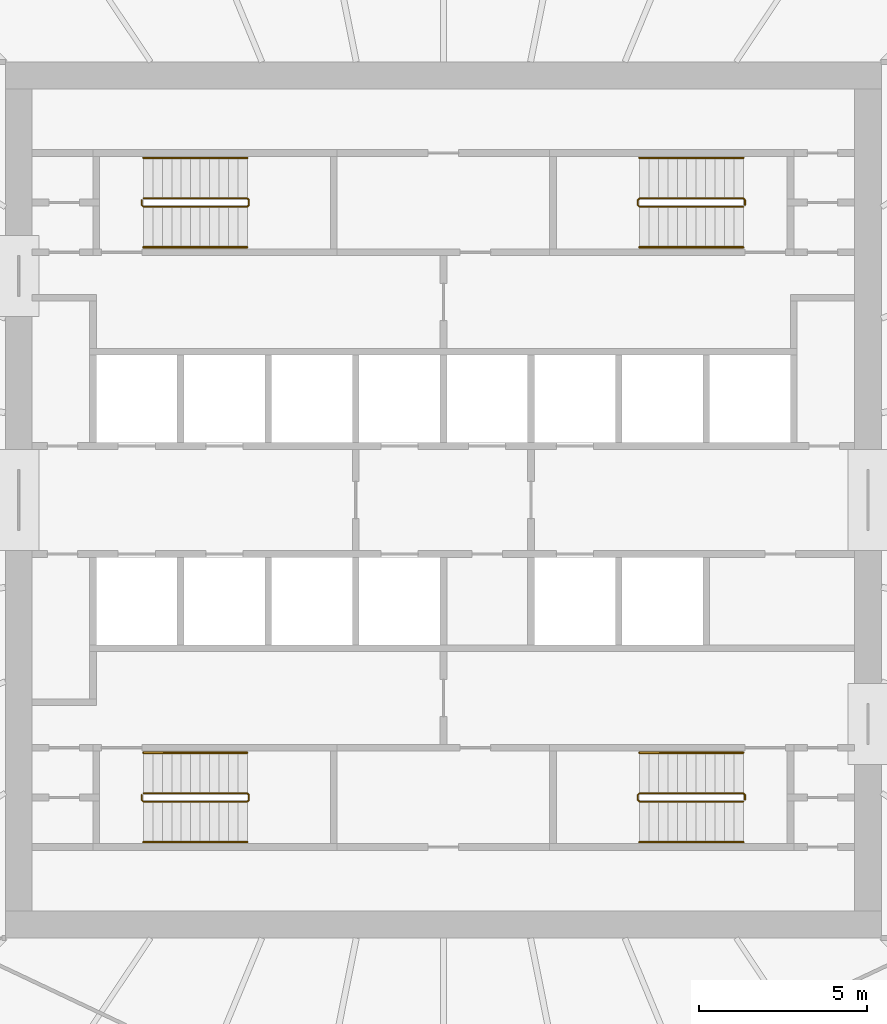
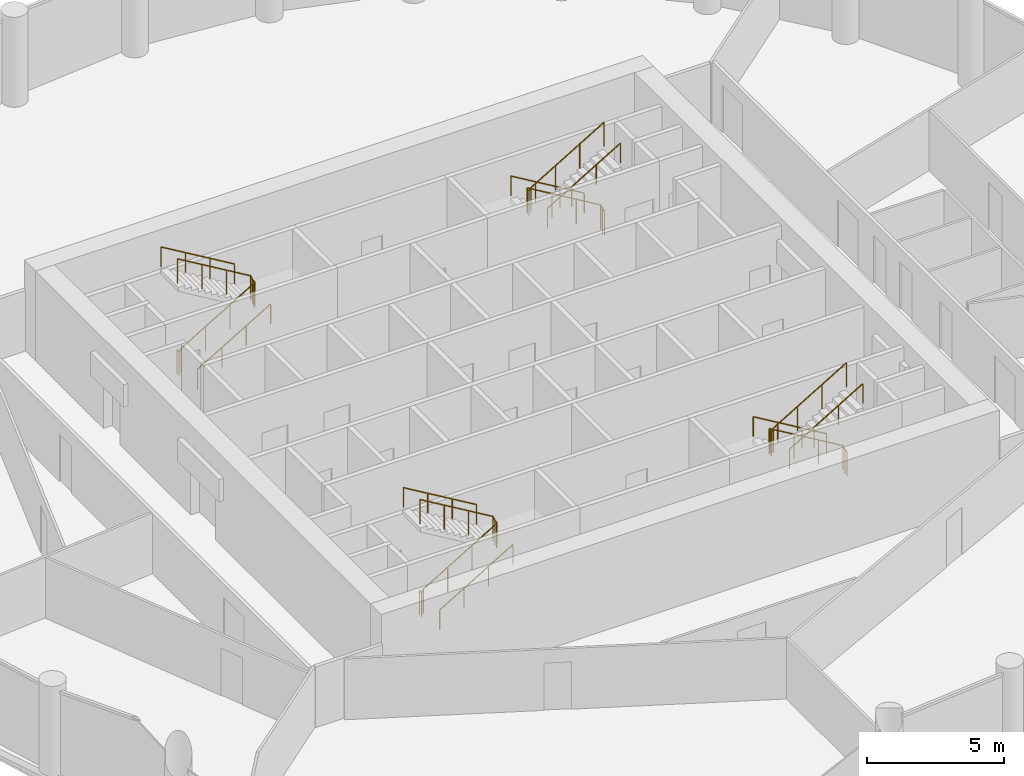
# One storey, part 8 of 8: 12 railings.
"""IFC4 building model written with IfcOpenShell, lengths in metres."""

from ifc_helpers import new_model, si_unit, direction, frame, origin, origin_2d, place, context, subcontext, project, spatial, circle, extrude, material, type_object, element, save


model = new_model("IFC4")

# Units and contexts
model_context = context("Model", 3, precision=1e-05, world=origin(), true_north=direction((0.0, 1.0)))
body_context = subcontext(model_context, "Body", "Model", "MODEL_VIEW")
ifc_project = project(units=[si_unit("LENGTHUNIT", "METRE"), si_unit("AREAUNIT", "SQUARE_METRE"), si_unit("VOLUMEUNIT", "CUBIC_METRE"), si_unit("PLANEANGLEUNIT", "RADIAN"), si_unit("MASSUNIT", "GRAM", prefix="KILO")], contexts=[model_context])

# Site, building, storey
site_placement = place(None, origin())
site = spatial("IfcSite", under=ifc_project, at=site_placement, CompositionType="ELEMENT")
building_placement = place(site_placement, origin())
building = spatial("IfcBuilding", under=site, at=building_placement, Name="Corvane Civic Tower", CompositionType="ELEMENT")
storey_placement = place(building_placement, frame((0.0, 0.0, 245.5)))
storey = spatial("IfcBuildingStorey", under=building, at=storey_placement, Name="L58", CompositionType="ELEMENT", Elevation=245.5)

# Railings
ifc_material_1 = material(Name="Steel ASTM A572 Gr 50", Category="steel")
railing_type_1 = type_object("IfcRailingType", Name="ST-GUARD-1100", PredefinedType="GUARDRAIL", material=ifc_material_1)
railing_1_placement = place(storey_placement, frame((8.949951171875, 8.75, 0.0)))
element("IfcRailing", 1, at=railing_1_placement, inside=storey, type_object=railing_type_1, Name="L58 ST1 stair guard 1", PredefinedType="GUARDRAIL", context=body_context, shape_type="SweptSolid", body=[
    extrude(circle(Radius=0.02392578125, at=origin_2d()), frame((0.0, 0.0, 1.076171875), z_axis=(0.0, 1.0, 0.0), x_axis=(-1.0, 0.0, 0.0)), (0.0, 0.0, 1.0), 0.14990234375),
    extrude(circle(Radius=0.02392578125, at=origin_2d()), frame((0.0, 0.14990234375, 1.076171875), z_axis=(-0.27628659633, 0.27628659633, 0.920506074601), x_axis=(-0.707106781187, -0.707106781187, 0.0)), (0.0, 0.0, 1.0), 0.18115234375),
    extrude(circle(Radius=0.02392578125, at=origin_2d()), frame((-0.050048828125, 0.199951171875, 1.24267578125), z_axis=(-0.859290745958, 0.0, 0.51148745235), x_axis=(0.0, -1.0, 0.0)), (0.0, 0.0, 1.0), 3.584228515625),
    extrude(circle(Radius=0.02392578125, at=origin_2d()), frame((-3.1298828125, 0.199951171875, 3.076171875), z_axis=(-0.707106781187, -0.707106781187, 0.0), x_axis=(0.707106781187, -0.707106781187, 0.0)), (0.0, 0.0, 1.0), 0.07080078125),
    extrude(circle(Radius=0.02392578125, at=origin_2d()), frame((-3.179931640625, 0.14990234375, 3.076171875), z_axis=(0.0, -1.0, 0.0), x_axis=(1.0, 0.0, 0.0)), (0.0, 0.0, 1.0), 0.14990234375),
    extrude(circle(Radius=0.02392578125, at=origin_2d()), frame((-3.179931640625, 0.0, 3.076171875), z_axis=(0.27628659633, -0.27628659633, 0.920506074601), x_axis=(0.707106781187, 0.707106781187, 0.0)), (0.0, 0.0, 1.0), 0.18115234375),
    extrude(circle(Radius=0.02392578125, at=origin_2d()), frame((-3.1298828125, -0.050048828125, 3.24267578125), z_axis=(0.859290745958, 0.0, 0.51148745235), x_axis=(0.0, 1.0, 0.0)), (0.0, 0.0, 1.0), 3.584228515625),
    extrude(circle(Radius=0.02099609375, at=origin_2d()), origin(), (0.0, 0.0, 1.0), 1.052001953125),
    extrude(circle(Radius=0.02099609375, at=origin_2d()), frame((0.0, 0.14990234375, 0.0)), (0.0, 0.0, 1.0), 1.052001953125),
    extrude(circle(Radius=0.02099609375, at=origin_2d()), frame((-0.050048828125, 0.199951171875, 0.166748046875)), (0.0, 0.0, 1.0), 1.052001953125),
    extrude(circle(Radius=0.02099609375, at=origin_2d()), frame((-1.07666015625, 0.199951171875, 0.77783203125)), (0.0, 0.0, 1.0), 1.052001953125),
    extrude(circle(Radius=0.02099609375, at=origin_2d()), frame((-2.103271484375, 0.199951171875, 1.388916015625)), (0.0, 0.0, 1.0), 1.052001953125),
    extrude(circle(Radius=0.02099609375, at=origin_2d()), frame((-3.1298828125, 0.199951171875, 2.0)), (0.0, 0.0, 1.0), 1.052001953125),
    extrude(circle(Radius=0.02099609375, at=origin_2d()), frame((-3.179931640625, 0.14990234375, 2.0)), (0.0, 0.0, 1.0), 1.052001953125),
    extrude(circle(Radius=0.02099609375, at=origin_2d()), frame((-3.179931640625, 0.0, 2.0)), (0.0, 0.0, 1.0), 1.052001953125),
    extrude(circle(Radius=0.02099609375, at=origin_2d()), frame((-3.1298828125, -0.050048828125, 2.166748046875)), (0.0, 0.0, 1.0), 1.052001953125),
    extrude(circle(Radius=0.02099609375, at=origin_2d()), frame((-2.103271484375, -0.050048828125, 2.77783203125)), (0.0, 0.0, 1.0), 1.052001953125),
    extrude(circle(Radius=0.02099609375, at=origin_2d()), frame((-1.07666015625, -0.050048828125, 3.388916015625)), (0.0, 0.0, 1.0), 1.052001953125),
    extrude(circle(Radius=0.02099609375, at=origin_2d()), frame((-0.050048828125, -0.050048828125, 4.0)), (0.0, 0.0, 1.0), 1.052001953125),
])
railing_2_placement = place(storey_placement, frame((8.949951171875, -8.89990234375, 0.0)))
element("IfcRailing", 2, at=railing_2_placement, inside=storey, type_object=railing_type_1, Name="L58 ST2 stair guard 1", PredefinedType="GUARDRAIL", context=body_context, shape_type="SweptSolid", body=[
    extrude(circle(Radius=0.02392578125, at=origin_2d()), frame((0.0, 0.0, 1.076171875), z_axis=(0.0, 1.0, 0.0), x_axis=(-1.0, 0.0, 0.0)), (0.0, 0.0, 1.0), 0.14990234375),
    extrude(circle(Radius=0.02392578125, at=origin_2d()), frame((0.0, 0.14990234375, 1.076171875), z_axis=(-0.27628659633, 0.27628659633, 0.920506074601), x_axis=(-0.707106781187, -0.707106781187, 0.0)), (0.0, 0.0, 1.0), 0.18115234375),
    extrude(circle(Radius=0.02392578125, at=origin_2d()), frame((-0.050048828125, 0.199951171875, 1.24267578125), z_axis=(-0.859290745958, 0.0, 0.51148745235), x_axis=(0.0, -1.0, 0.0)), (0.0, 0.0, 1.0), 3.584228515625),
    extrude(circle(Radius=0.02392578125, at=origin_2d()), frame((-3.1298828125, 0.199951171875, 3.076171875), z_axis=(-0.707106781187, -0.707106781187, 0.0), x_axis=(0.707106781187, -0.707106781187, 0.0)), (0.0, 0.0, 1.0), 0.07080078125),
    extrude(circle(Radius=0.02392578125, at=origin_2d()), frame((-3.179931640625, 0.14990234375, 3.076171875), z_axis=(0.0, -1.0, 0.0), x_axis=(1.0, 0.0, 0.0)), (0.0, 0.0, 1.0), 0.14990234375),
    extrude(circle(Radius=0.02392578125, at=origin_2d()), frame((-3.179931640625, 0.0, 3.076171875), z_axis=(0.27628659633, -0.27628659633, 0.920506074601), x_axis=(0.707106781187, 0.707106781187, 0.0)), (0.0, 0.0, 1.0), 0.18115234375),
    extrude(circle(Radius=0.02392578125, at=origin_2d()), frame((-3.1298828125, -0.050048828125, 3.24267578125), z_axis=(0.859290745958, 0.0, 0.51148745235), x_axis=(0.0, 1.0, 0.0)), (0.0, 0.0, 1.0), 3.584228515625),
    extrude(circle(Radius=0.02099609375, at=origin_2d()), origin(), (0.0, 0.0, 1.0), 1.052001953125),
    extrude(circle(Radius=0.02099609375, at=origin_2d()), frame((0.0, 0.14990234375, 0.0)), (0.0, 0.0, 1.0), 1.052001953125),
    extrude(circle(Radius=0.02099609375, at=origin_2d()), frame((-0.050048828125, 0.199951171875, 0.166748046875)), (0.0, 0.0, 1.0), 1.052001953125),
    extrude(circle(Radius=0.02099609375, at=origin_2d()), frame((-1.07666015625, 0.199951171875, 0.77783203125)), (0.0, 0.0, 1.0), 1.052001953125),
    extrude(circle(Radius=0.02099609375, at=origin_2d()), frame((-2.103271484375, 0.199951171875, 1.388916015625)), (0.0, 0.0, 1.0), 1.052001953125),
    extrude(circle(Radius=0.02099609375, at=origin_2d()), frame((-3.1298828125, 0.199951171875, 2.0)), (0.0, 0.0, 1.0), 1.052001953125),
    extrude(circle(Radius=0.02099609375, at=origin_2d()), frame((-3.179931640625, 0.14990234375, 2.0)), (0.0, 0.0, 1.0), 1.052001953125),
    extrude(circle(Radius=0.02099609375, at=origin_2d()), frame((-3.179931640625, 0.0, 2.0)), (0.0, 0.0, 1.0), 1.052001953125),
    extrude(circle(Radius=0.02099609375, at=origin_2d()), frame((-3.1298828125, -0.050048828125, 2.166748046875)), (0.0, 0.0, 1.0), 1.052001953125),
    extrude(circle(Radius=0.02099609375, at=origin_2d()), frame((-2.103271484375, -0.050048828125, 2.77783203125)), (0.0, 0.0, 1.0), 1.052001953125),
    extrude(circle(Radius=0.02099609375, at=origin_2d()), frame((-1.07666015625, -0.050048828125, 3.388916015625)), (0.0, 0.0, 1.0), 1.052001953125),
    extrude(circle(Radius=0.02099609375, at=origin_2d()), frame((-0.050048828125, -0.050048828125, 4.0)), (0.0, 0.0, 1.0), 1.052001953125),
])
railing_3_placement = place(storey_placement, frame((-8.949951171875, -8.75, 0.0)))
element("IfcRailing", 3, at=railing_3_placement, inside=storey, type_object=railing_type_1, Name="L58 ST3 stair guard 1", PredefinedType="GUARDRAIL", context=body_context, shape_type="SweptSolid", body=[
    extrude(circle(Radius=0.02392578125, at=origin_2d()), frame((0.0, 0.0, 1.076171875), z_axis=(0.0, -1.0, 0.0), x_axis=(1.0, 0.0, 0.0)), (0.0, 0.0, 1.0), 0.14990234375),
    extrude(circle(Radius=0.02392578125, at=origin_2d()), frame((0.0, -0.14990234375, 1.076171875), z_axis=(0.27628659633, -0.27628659633, 0.920506074601), x_axis=(0.707106781187, 0.707106781187, 0.0)), (0.0, 0.0, 1.0), 0.18115234375),
    extrude(circle(Radius=0.02392578125, at=origin_2d()), frame((0.050048828125, -0.199951171875, 1.24267578125), z_axis=(0.859290745958, 0.0, 0.51148745235), x_axis=(0.0, 1.0, 0.0)), (0.0, 0.0, 1.0), 3.584228515625),
    extrude(circle(Radius=0.02392578125, at=origin_2d()), frame((3.1298828125, -0.199951171875, 3.076171875), z_axis=(0.707106781187, 0.707106781187, 0.0), x_axis=(-0.707106781187, 0.707106781187, 0.0)), (0.0, 0.0, 1.0), 0.07080078125),
    extrude(circle(Radius=0.02392578125, at=origin_2d()), frame((3.179931640625, -0.14990234375, 3.076171875), z_axis=(0.0, 1.0, 0.0), x_axis=(-1.0, 0.0, 0.0)), (0.0, 0.0, 1.0), 0.14990234375),
    extrude(circle(Radius=0.02392578125, at=origin_2d()), frame((3.179931640625, 0.0, 3.076171875), z_axis=(-0.27628659633, 0.27628659633, 0.920506074601), x_axis=(-0.707106781187, -0.707106781187, 0.0)), (0.0, 0.0, 1.0), 0.18115234375),
    extrude(circle(Radius=0.02392578125, at=origin_2d()), frame((3.1298828125, 0.050048828125, 3.24267578125), z_axis=(-0.859290745958, 0.0, 0.51148745235), x_axis=(0.0, -1.0, 0.0)), (0.0, 0.0, 1.0), 3.584228515625),
    extrude(circle(Radius=0.02099609375, at=origin_2d()), origin(), (0.0, 0.0, 1.0), 1.052001953125),
    extrude(circle(Radius=0.02099609375, at=origin_2d()), frame((0.0, -0.14990234375, 0.0)), (0.0, 0.0, 1.0), 1.052001953125),
    extrude(circle(Radius=0.02099609375, at=origin_2d()), frame((0.050048828125, -0.199951171875, 0.166748046875)), (0.0, 0.0, 1.0), 1.052001953125),
    extrude(circle(Radius=0.02099609375, at=origin_2d()), frame((1.07666015625, -0.199951171875, 0.77783203125)), (0.0, 0.0, 1.0), 1.052001953125),
    extrude(circle(Radius=0.02099609375, at=origin_2d()), frame((2.103271484375, -0.199951171875, 1.388916015625)), (0.0, 0.0, 1.0), 1.052001953125),
    extrude(circle(Radius=0.02099609375, at=origin_2d()), frame((3.1298828125, -0.199951171875, 2.0)), (0.0, 0.0, 1.0), 1.052001953125),
    extrude(circle(Radius=0.02099609375, at=origin_2d()), frame((3.179931640625, -0.14990234375, 2.0)), (0.0, 0.0, 1.0), 1.052001953125),
    extrude(circle(Radius=0.02099609375, at=origin_2d()), frame((3.179931640625, 0.0, 2.0)), (0.0, 0.0, 1.0), 1.052001953125),
    extrude(circle(Radius=0.02099609375, at=origin_2d()), frame((3.1298828125, 0.050048828125, 2.166748046875)), (0.0, 0.0, 1.0), 1.052001953125),
    extrude(circle(Radius=0.02099609375, at=origin_2d()), frame((2.103271484375, 0.050048828125, 2.77783203125)), (0.0, 0.0, 1.0), 1.052001953125),
    extrude(circle(Radius=0.02099609375, at=origin_2d()), frame((1.07666015625, 0.050048828125, 3.388916015625)), (0.0, 0.0, 1.0), 1.052001953125),
    extrude(circle(Radius=0.02099609375, at=origin_2d()), frame((0.050048828125, 0.050048828125, 4.0)), (0.0, 0.0, 1.0), 1.052001953125),
])
railing_4_placement = place(storey_placement, frame((-8.949951171875, 8.89990234375, 0.0)))
element("IfcRailing", 4, at=railing_4_placement, inside=storey, type_object=railing_type_1, Name="L58 ST4 stair guard 1", PredefinedType="GUARDRAIL", context=body_context, shape_type="SweptSolid", body=[
    extrude(circle(Radius=0.02392578125, at=origin_2d()), frame((0.0, 0.0, 1.076171875), z_axis=(0.0, -1.0, 0.0), x_axis=(1.0, 0.0, 0.0)), (0.0, 0.0, 1.0), 0.14990234375),
    extrude(circle(Radius=0.02392578125, at=origin_2d()), frame((0.0, -0.14990234375, 1.076171875), z_axis=(0.27628659633, -0.27628659633, 0.920506074601), x_axis=(0.707106781187, 0.707106781187, 0.0)), (0.0, 0.0, 1.0), 0.18115234375),
    extrude(circle(Radius=0.02392578125, at=origin_2d()), frame((0.050048828125, -0.199951171875, 1.24267578125), z_axis=(0.859290745958, 0.0, 0.51148745235), x_axis=(0.0, 1.0, 0.0)), (0.0, 0.0, 1.0), 3.584228515625),
    extrude(circle(Radius=0.02392578125, at=origin_2d()), frame((3.1298828125, -0.199951171875, 3.076171875), z_axis=(0.707106781187, 0.707106781187, 0.0), x_axis=(-0.707106781187, 0.707106781187, 0.0)), (0.0, 0.0, 1.0), 0.07080078125),
    extrude(circle(Radius=0.02392578125, at=origin_2d()), frame((3.179931640625, -0.14990234375, 3.076171875), z_axis=(0.0, 1.0, 0.0), x_axis=(-1.0, 0.0, 0.0)), (0.0, 0.0, 1.0), 0.14990234375),
    extrude(circle(Radius=0.02392578125, at=origin_2d()), frame((3.179931640625, 0.0, 3.076171875), z_axis=(-0.27628659633, 0.27628659633, 0.920506074601), x_axis=(-0.707106781187, -0.707106781187, 0.0)), (0.0, 0.0, 1.0), 0.18115234375),
    extrude(circle(Radius=0.02392578125, at=origin_2d()), frame((3.1298828125, 0.050048828125, 3.24267578125), z_axis=(-0.859290745958, 0.0, 0.51148745235), x_axis=(0.0, -1.0, 0.0)), (0.0, 0.0, 1.0), 3.584228515625),
    extrude(circle(Radius=0.02099609375, at=origin_2d()), origin(), (0.0, 0.0, 1.0), 1.052001953125),
    extrude(circle(Radius=0.02099609375, at=origin_2d()), frame((0.0, -0.14990234375, 0.0)), (0.0, 0.0, 1.0), 1.052001953125),
    extrude(circle(Radius=0.02099609375, at=origin_2d()), frame((0.050048828125, -0.199951171875, 0.166748046875)), (0.0, 0.0, 1.0), 1.052001953125),
    extrude(circle(Radius=0.02099609375, at=origin_2d()), frame((1.07666015625, -0.199951171875, 0.77783203125)), (0.0, 0.0, 1.0), 1.052001953125),
    extrude(circle(Radius=0.02099609375, at=origin_2d()), frame((2.103271484375, -0.199951171875, 1.388916015625)), (0.0, 0.0, 1.0), 1.052001953125),
    extrude(circle(Radius=0.02099609375, at=origin_2d()), frame((3.1298828125, -0.199951171875, 2.0)), (0.0, 0.0, 1.0), 1.052001953125),
    extrude(circle(Radius=0.02099609375, at=origin_2d()), frame((3.179931640625, -0.14990234375, 2.0)), (0.0, 0.0, 1.0), 1.052001953125),
    extrude(circle(Radius=0.02099609375, at=origin_2d()), frame((3.179931640625, 0.0, 2.0)), (0.0, 0.0, 1.0), 1.052001953125),
    extrude(circle(Radius=0.02099609375, at=origin_2d()), frame((3.1298828125, 0.050048828125, 2.166748046875)), (0.0, 0.0, 1.0), 1.052001953125),
    extrude(circle(Radius=0.02099609375, at=origin_2d()), frame((2.103271484375, 0.050048828125, 2.77783203125)), (0.0, 0.0, 1.0), 1.052001953125),
    extrude(circle(Radius=0.02099609375, at=origin_2d()), frame((1.07666015625, 0.050048828125, 3.388916015625)), (0.0, 0.0, 1.0), 1.052001953125),
    extrude(circle(Radius=0.02099609375, at=origin_2d()), frame((0.050048828125, 0.050048828125, 4.0)), (0.0, 0.0, 1.0), 1.052001953125),
])
ifc_material_2 = material(Name="Steel ASTM A572 Gr 50", Category="steel")
railing_type_2 = type_object("IfcRailingType", Name="ST-HANDRAIL-900", PredefinedType="HANDRAIL", material=ifc_material_2)
railing_5_placement = place(storey_placement, frame((8.89990234375, 10.14990234375, 0.166748046875)))
element("IfcRailing", 5, at=railing_5_placement, inside=storey, type_object=railing_type_2, Name="L58 ST1 stair handrail 1", PredefinedType="HANDRAIL", context=body_context, shape_type="SweptSolid", body=[
    extrude(circle(Radius=0.02392578125, at=origin_2d()), frame((0.0, 0.0, 0.8759765625), z_axis=(-0.859290745958, 0.0, 0.51148745235), x_axis=(0.0, -1.0, 0.0)), (0.0, 0.0, 1.0), 3.584228515625),
    extrude(circle(Radius=0.02099609375, at=origin_2d()), origin(), (0.0, 0.0, 1.0), 0.851806640625),
    extrude(circle(Radius=0.02099609375, at=origin_2d()), frame((-1.026611328125, 0.0, 0.611083984375)), (0.0, 0.0, 1.0), 0.851806640625),
    extrude(circle(Radius=0.02099609375, at=origin_2d()), frame((-2.05322265625, 0.0, 1.22216796875)), (0.0, 0.0, 1.0), 0.851806640625),
    extrude(circle(Radius=0.02099609375, at=origin_2d()), frame((-3.079833984375, 0.0, 1.833251953125)), (0.0, 0.0, 1.0), 0.851806640625),
])
railing_6_placement = place(storey_placement, frame((5.820068359375, 7.5, 2.166748046875)))
element("IfcRailing", 6, at=railing_6_placement, inside=storey, type_object=railing_type_2, Name="L58 ST1 stair handrail 2", PredefinedType="HANDRAIL", context=body_context, shape_type="SweptSolid", body=[
    extrude(circle(Radius=0.02392578125, at=origin_2d()), frame((0.0, 0.0, 0.8759765625), z_axis=(0.859290745958, 0.0, 0.51148745235), x_axis=(0.0, 1.0, 0.0)), (0.0, 0.0, 1.0), 3.584228515625),
    extrude(circle(Radius=0.02099609375, at=origin_2d()), origin(), (0.0, 0.0, 1.0), 0.851806640625),
    extrude(circle(Radius=0.02099609375, at=origin_2d()), frame((1.026611328125, 0.0, 0.611083984375)), (0.0, 0.0, 1.0), 0.851806640625),
    extrude(circle(Radius=0.02099609375, at=origin_2d()), frame((2.05322265625, 0.0, 1.22216796875)), (0.0, 0.0, 1.0), 0.851806640625),
    extrude(circle(Radius=0.02099609375, at=origin_2d()), frame((3.079833984375, 0.0, 1.833251953125)), (0.0, 0.0, 1.0), 0.851806640625),
])
railing_7_placement = place(storey_placement, frame((8.89990234375, -7.5, 0.166748046875)))
element("IfcRailing", 7, at=railing_7_placement, inside=storey, type_object=railing_type_2, Name="L58 ST2 stair handrail 1", PredefinedType="HANDRAIL", context=body_context, shape_type="SweptSolid", body=[
    extrude(circle(Radius=0.02392578125, at=origin_2d()), frame((0.0, 0.0, 0.8759765625), z_axis=(-0.859290745958, 0.0, 0.51148745235), x_axis=(0.0, -1.0, 0.0)), (0.0, 0.0, 1.0), 3.584228515625),
    extrude(circle(Radius=0.02099609375, at=origin_2d()), origin(), (0.0, 0.0, 1.0), 0.851806640625),
    extrude(circle(Radius=0.02099609375, at=origin_2d()), frame((-1.026611328125, 0.0, 0.611083984375)), (0.0, 0.0, 1.0), 0.851806640625),
    extrude(circle(Radius=0.02099609375, at=origin_2d()), frame((-2.05322265625, 0.0, 1.22216796875)), (0.0, 0.0, 1.0), 0.851806640625),
    extrude(circle(Radius=0.02099609375, at=origin_2d()), frame((-3.079833984375, 0.0, 1.833251953125)), (0.0, 0.0, 1.0), 0.851806640625),
])
for number, where, name in (
    (8, (5.820068359375, -10.14990234375, 2.166748046875), "L58 ST2 stair handrail 2"),
    (9, (-8.89990234375, -10.14990234375, 0.166748046875), "L58 ST3 stair handrail 1"),
):
    element("IfcRailing", number, at=place(storey_placement, frame(where)), inside=storey, type_object=railing_type_2, Name=name, PredefinedType="HANDRAIL", context=body_context, shape_type="SweptSolid", body=[
        extrude(circle(Radius=0.02392578125, at=origin_2d()), frame((0.0, 0.0, 0.8759765625), z_axis=(0.859290745958, 0.0, 0.51148745235), x_axis=(0.0, 1.0, 0.0)), (0.0, 0.0, 1.0), 3.584228515625),
        extrude(circle(Radius=0.02099609375, at=origin_2d()), origin(), (0.0, 0.0, 1.0), 0.851806640625),
        extrude(circle(Radius=0.02099609375, at=origin_2d()), frame((1.026611328125, 0.0, 0.611083984375)), (0.0, 0.0, 1.0), 0.851806640625),
        extrude(circle(Radius=0.02099609375, at=origin_2d()), frame((2.05322265625, 0.0, 1.22216796875)), (0.0, 0.0, 1.0), 0.851806640625),
        extrude(circle(Radius=0.02099609375, at=origin_2d()), frame((3.079833984375, 0.0, 1.833251953125)), (0.0, 0.0, 1.0), 0.851806640625),
    ])
railing_8_placement = place(storey_placement, frame((-5.820068359375, -7.5, 2.166748046875)))
element("IfcRailing", 10, at=railing_8_placement, inside=storey, type_object=railing_type_2, Name="L58 ST3 stair handrail 2", PredefinedType="HANDRAIL", context=body_context, shape_type="SweptSolid", body=[
    extrude(circle(Radius=0.02392578125, at=origin_2d()), frame((0.0, 0.0, 0.8759765625), z_axis=(-0.859290745958, 0.0, 0.51148745235), x_axis=(0.0, -1.0, 0.0)), (0.0, 0.0, 1.0), 3.584228515625),
    extrude(circle(Radius=0.02099609375, at=origin_2d()), origin(), (0.0, 0.0, 1.0), 0.851806640625),
    extrude(circle(Radius=0.02099609375, at=origin_2d()), frame((-1.026611328125, 0.0, 0.611083984375)), (0.0, 0.0, 1.0), 0.851806640625),
    extrude(circle(Radius=0.02099609375, at=origin_2d()), frame((-2.05322265625, 0.0, 1.22216796875)), (0.0, 0.0, 1.0), 0.851806640625),
    extrude(circle(Radius=0.02099609375, at=origin_2d()), frame((-3.079833984375, 0.0, 1.833251953125)), (0.0, 0.0, 1.0), 0.851806640625),
])
railing_9_placement = place(storey_placement, frame((-8.89990234375, 7.5, 0.166748046875)))
element("IfcRailing", 11, at=railing_9_placement, inside=storey, type_object=railing_type_2, Name="L58 ST4 stair handrail 1", PredefinedType="HANDRAIL", context=body_context, shape_type="SweptSolid", body=[
    extrude(circle(Radius=0.02392578125, at=origin_2d()), frame((0.0, 0.0, 0.8759765625), z_axis=(0.859290745958, 0.0, 0.51148745235), x_axis=(0.0, 1.0, 0.0)), (0.0, 0.0, 1.0), 3.584228515625),
    extrude(circle(Radius=0.02099609375, at=origin_2d()), origin(), (0.0, 0.0, 1.0), 0.851806640625),
    extrude(circle(Radius=0.02099609375, at=origin_2d()), frame((1.026611328125, 0.0, 0.611083984375)), (0.0, 0.0, 1.0), 0.851806640625),
    extrude(circle(Radius=0.02099609375, at=origin_2d()), frame((2.05322265625, 0.0, 1.22216796875)), (0.0, 0.0, 1.0), 0.851806640625),
    extrude(circle(Radius=0.02099609375, at=origin_2d()), frame((3.079833984375, 0.0, 1.833251953125)), (0.0, 0.0, 1.0), 0.851806640625),
])
railing_10_placement = place(storey_placement, frame((-5.820068359375, 10.14990234375, 2.166748046875)))
element("IfcRailing", 12, at=railing_10_placement, inside=storey, type_object=railing_type_2, Name="L58 ST4 stair handrail 2", PredefinedType="HANDRAIL", context=body_context, shape_type="SweptSolid", body=[
    extrude(circle(Radius=0.02392578125, at=origin_2d()), frame((0.0, 0.0, 0.8759765625), z_axis=(-0.859290745958, 0.0, 0.51148745235), x_axis=(0.0, -1.0, 0.0)), (0.0, 0.0, 1.0), 3.584228515625),
    extrude(circle(Radius=0.02099609375, at=origin_2d()), origin(), (0.0, 0.0, 1.0), 0.851806640625),
    extrude(circle(Radius=0.02099609375, at=origin_2d()), frame((-1.026611328125, 0.0, 0.611083984375)), (0.0, 0.0, 1.0), 0.851806640625),
    extrude(circle(Radius=0.02099609375, at=origin_2d()), frame((-2.05322265625, 0.0, 1.22216796875)), (0.0, 0.0, 1.0), 0.851806640625),
    extrude(circle(Radius=0.02099609375, at=origin_2d()), frame((-3.079833984375, 0.0, 1.833251953125)), (0.0, 0.0, 1.0), 0.851806640625),
])

save(model, "model.ifc")
